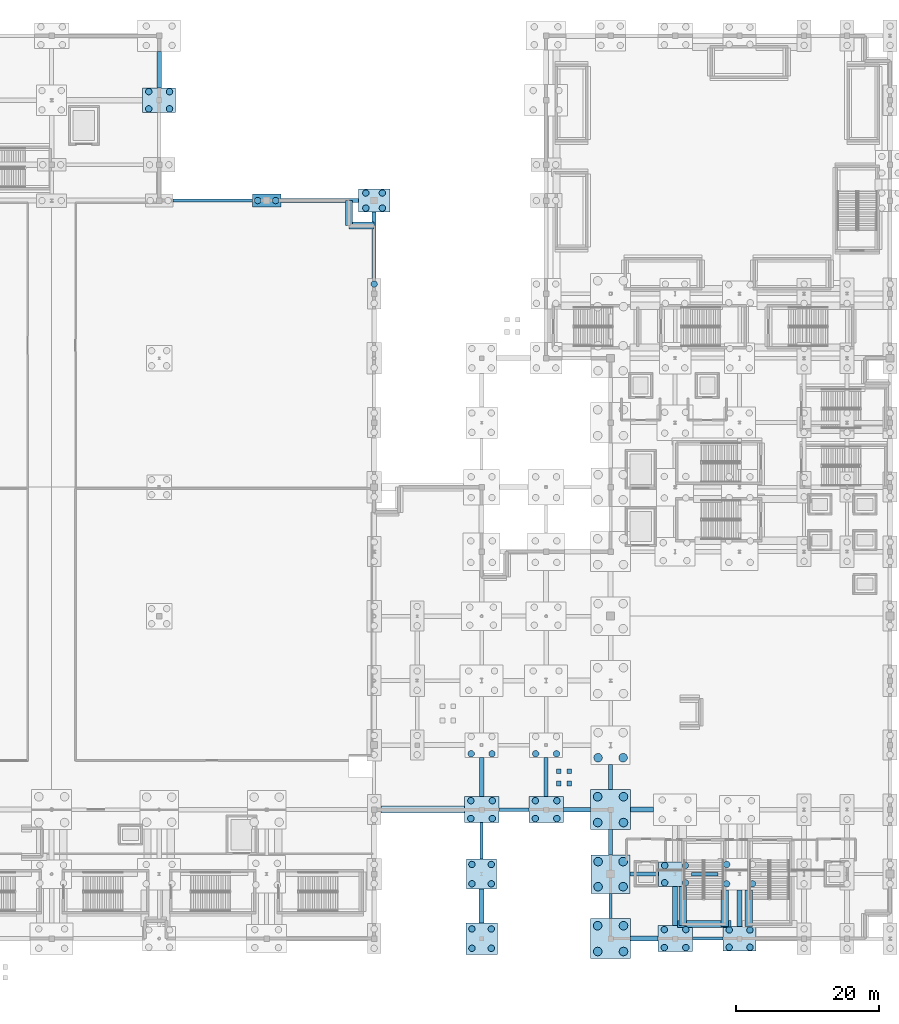
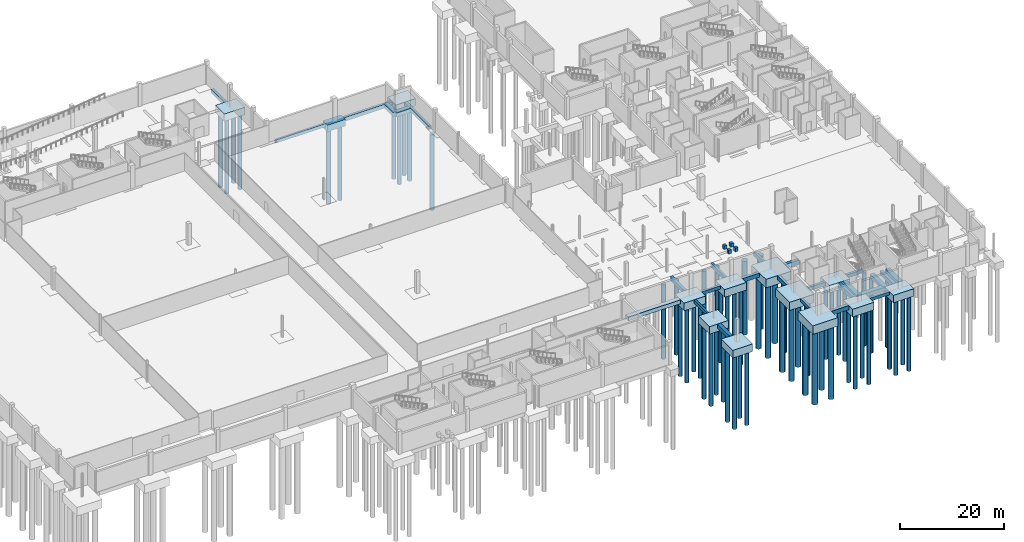
# One storey, part 5 of 58: 60 piles, 44 footings.
"""IFC4 building model written with IfcOpenShell, lengths in metres."""

from ifc_helpers import new_model, si_unit, direction, frame, origin, origin_2d, place, context, subcontext, project, spatial, rectangle, circle, extrude, material, material_profile, profile_set, type_object, element, save


model = new_model("IFC4")

# Units and contexts
model_context = context("Model", 3, precision=1e-05, world=origin(), true_north=direction((0.0, 1.0)))
body_context = subcontext(model_context, "Body", "Model", "MODEL_VIEW")
ifc_project = project(units=[si_unit("LENGTHUNIT", "METRE"), si_unit("AREAUNIT", "SQUARE_METRE"), si_unit("VOLUMEUNIT", "CUBIC_METRE"), si_unit("PLANEANGLEUNIT", "RADIAN"), si_unit("MASSUNIT", "GRAM", prefix="KILO")], contexts=[model_context])

# Site, building, storey
site_placement = place(None, origin())
site = spatial("IfcSite", under=ifc_project, at=site_placement, CompositionType="ELEMENT")
building_placement = place(site_placement, origin())
building = spatial("IfcBuilding", under=site, at=building_placement, Name="Qamarlyn Nura Convention Centre", CompositionType="ELEMENT")
storey_placement = place(building_placement, frame((0.0, 0.0, -5.39990234375)))
storey = spatial("IfcBuildingStorey", under=building, at=storey_placement, Name="B01", CompositionType="ELEMENT", Elevation=-5.39990234375)

# Footings
ifc_material = material(Name="Concrete C40/50", Category="concrete")
ifc_material_profile_1 = material_profile(ifc_material, rectangle(XDim=0.449951171875, YDim=0.75, at=origin_2d()), Name="RC GB 450x750")
ifc_profile_set_1 = profile_set([ifc_material_profile_1], Name="Concrete C40/50")
footing_type_1 = type_object("IfcFootingType", Name="GB-450X750", PredefinedType="FOOTING_BEAM", material=ifc_profile_set_1)
footing_1_placement = place(storey_placement, frame((164.39990234375, 0.0, -0.375), z_axis=(1.0, 0.0, 0.0), x_axis=(0.0, 1.0, 0.0)))
element("IfcFooting", 1, at=footing_1_placement, inside=storey, type_object=footing_type_1, Name="Ground tie beam A 14-15", PredefinedType="FOOTING_BEAM", context=body_context, shape_type="SweptSolid", body=[
    extrude(rectangle(XDim=0.449951171875, YDim=0.75, at=origin_2d()), origin(), (0.0, 0.0, 1.0), 4.300048828125),
])
footing_2_placement = place(storey_placement, frame((91.89990234375, 103.0, -0.375), z_axis=(1.0, 0.0, 0.0), x_axis=(0.0, 1.0, 0.0)))
element("IfcFooting", 2, at=footing_2_placement, inside=storey, type_object=footing_type_1, Name="Ground tie beam M 7-8", PredefinedType="FOOTING_BEAM", context=body_context, shape_type="SweptSolid", body=[
    extrude(rectangle(XDim=0.449951171875, YDim=0.75, at=origin_2d()), origin(), (0.0, 0.0, 1.0), 11.10009765625),
])
footing_3_placement = place(storey_placement, frame((135.0, 11.10009765625, -0.375), z_axis=(0.0, 1.0, 0.0), x_axis=(-1.0, 0.0, 0.0)))
element("IfcFooting", 3, at=footing_3_placement, inside=storey, type_object=footing_type_1, Name="Ground tie beam 11 B-C", PredefinedType="FOOTING_BEAM", context=body_context, shape_type="SweptSolid", body=[
    extrude(rectangle(XDim=0.449951171875, YDim=0.75, at=origin_2d()), origin(), (0.0, 0.0, 1.0), 5.099853515625),
])
footing_4_placement = place(storey_placement, frame((153.0, 2.800048828125, -0.375), z_axis=(0.0, 1.0, 0.0), x_axis=(-1.0, 0.0, 0.0)))
element("IfcFooting", 4, at=footing_4_placement, inside=storey, type_object=footing_type_1, Name="Ground tie beam 13 A-B", PredefinedType="FOOTING_BEAM", context=body_context, shape_type="SweptSolid", body=[
    extrude(rectangle(XDim=0.449951171875, YDim=0.75, at=origin_2d()), origin(), (0.0, 0.0, 1.0), 3.5),
])
ifc_material_profile_2 = material_profile(ifc_material, rectangle(XDim=0.5, YDim=0.800048828125, at=origin_2d()), Name="RC GB 500x800")
ifc_profile_set_2 = profile_set([ifc_material_profile_2], Name="Concrete C40/50")
footing_type_2 = type_object("IfcFootingType", Name="GB-500X800", PredefinedType="FOOTING_BEAM", material=ifc_profile_set_2)
footing_5_placement = place(storey_placement, frame((164.300048828125, 9.0, -0.400146484375), z_axis=(1.0, 0.0, 0.0), x_axis=(0.0, 1.0, 0.0)))
element("IfcFooting", 5, at=footing_5_placement, inside=storey, type_object=footing_type_2, Name="Ground tie beam B 14-15", PredefinedType="FOOTING_BEAM", context=body_context, shape_type="SweptSolid", body=[
    extrude(rectangle(XDim=0.5, YDim=0.800048828125, at=origin_2d()), origin(), (0.0, 0.0, 1.0), 3.699951171875),
])
footing_6_placement = place(storey_placement, frame((137.39990234375, 18.0, -0.400146484375), z_axis=(1.0, 0.0, 0.0), x_axis=(0.0, 1.0, 0.0)))
element("IfcFooting", 6, at=footing_6_placement, inside=storey, type_object=footing_type_2, Name="Ground tie beam C 11-12", PredefinedType="FOOTING_BEAM", context=body_context, shape_type="SweptSolid", body=[
    extrude(rectangle(XDim=0.5, YDim=0.800048828125, at=origin_2d()), origin(), (0.0, 0.0, 1.0), 4.2001953125),
])
ifc_material_profile_3 = material_profile(ifc_material, rectangle(XDim=0.550048828125, YDim=0.85009765625, at=origin_2d()), Name="RC GB 550x850")
ifc_profile_set_3 = profile_set([ifc_material_profile_3], Name="Concrete C40/50")
footing_type_3 = type_object("IfcFootingType", Name="GB-550X850", PredefinedType="FOOTING_BEAM", material=ifc_profile_set_3)
footing_7_placement = place(storey_placement, frame((155.699951171875, 9.0, -0.425048828125), z_axis=(1.0, 0.0, 0.0), x_axis=(0.0, 1.0, 0.0)))
element("IfcFooting", 7, at=footing_7_placement, inside=storey, type_object=footing_type_3, Name="Ground tie beam B 13-14", PredefinedType="FOOTING_BEAM", context=body_context, shape_type="SweptSolid", body=[
    extrude(rectangle(XDim=0.550048828125, YDim=0.85009765625, at=origin_2d()), origin(), (0.0, 0.0, 1.0), 4.0),
])
footing_8_placement = place(storey_placement, frame((120.0, 92.10009765625, -0.425048828125), z_axis=(0.0, 1.0, 0.0), x_axis=(-1.0, 0.0, 0.0)))
element("IfcFooting", 8, at=footing_8_placement, inside=storey, type_object=footing_type_3, Name="Ground tie beam 9 L-M", PredefinedType="FOOTING_BEAM", context=body_context, shape_type="SweptSolid", body=[
    extrude(rectangle(XDim=0.550048828125, YDim=0.85009765625, at=origin_2d()), origin(), (0.0, 0.0, 1.0), 9.2998046875),
])
footing_9_placement = place(storey_placement, frame((144.0, 19.800048828125, -0.425048828125), z_axis=(0.0, 1.0, 0.0), x_axis=(-1.0, 0.0, 0.0)))
element("IfcFooting", 9, at=footing_9_placement, inside=storey, type_object=footing_type_3, Name="Ground tie beam 12 C-D", PredefinedType="FOOTING_BEAM", context=body_context, shape_type="SweptSolid", body=[
    extrude(rectangle(XDim=0.550048828125, YDim=0.85009765625, at=origin_2d()), origin(), (0.0, 0.0, 1.0), 5.5),
])
footing_10_placement = place(storey_placement, frame((153.0, 20.800048828125, -0.425048828125), z_axis=(0.0, 1.0, 0.0), x_axis=(-1.0, 0.0, 0.0)))
element("IfcFooting", 10, at=footing_10_placement, inside=storey, type_object=footing_type_3, Name="Ground tie beam 13 C-D", PredefinedType="FOOTING_BEAM", context=body_context, shape_type="SweptSolid", body=[
    extrude(rectangle(XDim=0.550048828125, YDim=0.85009765625, at=origin_2d()), origin(), (0.0, 0.0, 1.0), 3.5),
])
ifc_material_profile_4 = material_profile(ifc_material, rectangle(XDim=0.60009765625, YDim=0.89990234375, at=origin_2d()), Name="RC GB 600x900")
ifc_profile_set_4 = profile_set([ifc_material_profile_4], Name="Concrete C40/50")
footing_type_4 = type_object("IfcFootingType", Name="GB-600X900", PredefinedType="FOOTING_BEAM", material=ifc_profile_set_4)
footing_11_placement = place(storey_placement, frame((107.0, 103.0, -0.4501953125), z_axis=(1.0, 0.0, 0.0), x_axis=(0.0, 1.0, 0.0)))
element("IfcFooting", 11, at=footing_11_placement, inside=storey, type_object=footing_type_4, Name="Ground tie beam M 8-9", PredefinedType="FOOTING_BEAM", context=body_context, shape_type="SweptSolid", body=[
    extrude(rectangle(XDim=0.60009765625, YDim=0.89990234375, at=origin_2d()), origin(), (0.0, 0.0, 1.0), 10.800048828125),
])
footing_12_placement = place(storey_placement, frame((90.0, 118.699951171875, -0.4501953125), z_axis=(0.0, 1.0, 0.0), x_axis=(-1.0, 0.0, 0.0)))
element("IfcFooting", 12, at=footing_12_placement, inside=storey, type_object=footing_type_4, Name="Ground tie beam 7 P-Q", PredefinedType="FOOTING_BEAM", context=body_context, shape_type="SweptSolid", body=[
    extrude(rectangle(XDim=0.60009765625, YDim=0.89990234375, at=origin_2d()), origin(), (0.0, 0.0, 1.0), 5.10009765625),
])
footing_13_placement = place(storey_placement, frame((135.0, 19.800048828125, -0.4501953125), z_axis=(0.0, 1.0, 0.0), x_axis=(-1.0, 0.0, 0.0)))
element("IfcFooting", 13, at=footing_13_placement, inside=storey, type_object=footing_type_4, Name="Ground tie beam 11 C-D", PredefinedType="FOOTING_BEAM", context=body_context, shape_type="SweptSolid", body=[
    extrude(rectangle(XDim=0.60009765625, YDim=0.89990234375, at=origin_2d()), origin(), (0.0, 0.0, 1.0), 5.5),
])
footing_14_placement = place(storey_placement, frame((153.0, 11.699951171875, -0.4501953125), z_axis=(0.0, 1.0, 0.0), x_axis=(-1.0, 0.0, 0.0)))
element("IfcFooting", 14, at=footing_14_placement, inside=storey, type_object=footing_type_4, Name="Ground tie beam 13 B-C", PredefinedType="FOOTING_BEAM", context=body_context, shape_type="SweptSolid", body=[
    extrude(rectangle(XDim=0.60009765625, YDim=0.89990234375, at=origin_2d()), origin(), (0.0, 0.0, 1.0), 3.5),
])
ifc_material_profile_5 = material_profile(ifc_material, rectangle(XDim=0.64990234375, YDim=0.949951171875, at=origin_2d()), Name="RC GB 650x950")
ifc_profile_set_5 = profile_set([ifc_material_profile_5], Name="Concrete C40/50")
footing_type_5 = type_object("IfcFootingType", Name="GB-650X950", PredefinedType="FOOTING_BEAM", material=ifc_profile_set_5)
footing_15_placement = place(storey_placement, frame((146.39990234375, 18.0, -0.47509765625), z_axis=(1.0, 0.0, 0.0), x_axis=(0.0, 1.0, 0.0)))
element("IfcFooting", 15, at=footing_15_placement, inside=storey, type_object=footing_type_5, Name="Ground tie beam C 12-13", PredefinedType="FOOTING_BEAM", context=body_context, shape_type="SweptSolid", body=[
    extrude(rectangle(XDim=0.64990234375, YDim=0.949951171875, at=origin_2d()), origin(), (0.0, 0.0, 1.0), 3.800048828125),
])
footing_16_placement = place(storey_placement, frame((162.0, 1.800048828125, -0.47509765625), z_axis=(0.0, 1.0, 0.0), x_axis=(-1.0, 0.0, 0.0)))
element("IfcFooting", 16, at=footing_16_placement, inside=storey, type_object=footing_type_5, Name="Ground tie beam 14 A-B", PredefinedType="FOOTING_BEAM", context=body_context, shape_type="SweptSolid", body=[
    extrude(rectangle(XDim=0.64990234375, YDim=0.949951171875, at=origin_2d()), origin(), (0.0, 0.0, 1.0), 5.5),
])
footing_17_placement = place(storey_placement, frame((171.0, 1.699951171875, -0.47509765625), z_axis=(0.0, 1.0, 0.0), x_axis=(-1.0, 0.0, 0.0)))
element("IfcFooting", 17, at=footing_17_placement, inside=storey, type_object=footing_type_5, Name="Ground tie beam 15 A-B", PredefinedType="FOOTING_BEAM", context=body_context, shape_type="SweptSolid", body=[
    extrude(rectangle(XDim=0.64990234375, YDim=0.949951171875, at=origin_2d()), origin(), (0.0, 0.0, 1.0), 5.10009765625),
])
ifc_material_profile_6 = material_profile(ifc_material, rectangle(XDim=0.699951171875, YDim=1.0, at=origin_2d()), Name="RC GB 700x1000")
ifc_profile_set_6 = profile_set([ifc_material_profile_6], Name="Concrete C40/50")
footing_type_6 = type_object("IfcFootingType", Name="GB-700X1000", PredefinedType="FOOTING_BEAM", material=ifc_profile_set_6)
footing_18_placement = place(storey_placement, frame((155.800048828125, 0.0, -0.5), z_axis=(1.0, 0.0, 0.0), x_axis=(0.0, 1.0, 0.0)))
element("IfcFooting", 18, at=footing_18_placement, inside=storey, type_object=footing_type_6, Name="Ground tie beam A 13-14", PredefinedType="FOOTING_BEAM", context=body_context, shape_type="SweptSolid", body=[
    extrude(rectangle(XDim=0.699951171875, YDim=1.0, at=origin_2d()), origin(), (0.0, 0.0, 1.0), 3.800048828125),
])
footing_19_placement = place(storey_placement, frame((155.800048828125, 18.0, -0.5), z_axis=(1.0, 0.0, 0.0), x_axis=(0.0, 1.0, 0.0)))
element("IfcFooting", 19, at=footing_19_placement, inside=storey, type_object=footing_type_6, Name="Ground tie beam C 13-14", PredefinedType="FOOTING_BEAM", context=body_context, shape_type="SweptSolid", body=[
    extrude(rectangle(XDim=0.699951171875, YDim=1.0, at=origin_2d()), origin(), (0.0, 0.0, 1.0), 3.199951171875),
])
footing_20_placement = place(storey_placement, frame((135.0, 2.199951171875, -0.5), z_axis=(0.0, 1.0, 0.0), x_axis=(-1.0, 0.0, 0.0)))
element("IfcFooting", 20, at=footing_20_placement, inside=storey, type_object=footing_type_6, Name="Ground tie beam 11 A-B", PredefinedType="FOOTING_BEAM", context=body_context, shape_type="SweptSolid", body=[
    extrude(rectangle(XDim=0.699951171875, YDim=1.0, at=origin_2d()), origin(), (0.0, 0.0, 1.0), 4.699951171875),
])
footing_type_7 = type_object("IfcFootingType", Name="PC-MEGA-54", PredefinedType="PILE_CAP", material=ifc_material)
footing_21_placement = place(storey_placement, frame((153.0, 9.0, -1.9501953125), z_axis=(0.0, 0.0, 1.0), x_axis=(1.0, 0.0, 0.0)))
element("IfcFooting", 21, at=footing_21_placement, inside=storey, type_object=footing_type_7, Name="Pile cap CAP-13-B", PredefinedType="PILE_CAP", context=body_context, shape_type="SweptSolid", body=[
    extrude(rectangle(XDim=5.39990234375, YDim=5.39990234375, at=origin_2d()), origin(), (0.0, 0.0, 1.0), 1.949951171875),
])
footing_type_8 = type_object("IfcFootingType", Name="PC-MEGA-56", PredefinedType="PILE_CAP", material=ifc_material)
for number, where, z_axis, x_axis, name in (
    (22, (153.0, 0.0, -2.0), (0.0, 0.0, 1.0), (1.0, 0.0, 0.0), "Pile cap CAP-13-A"),
    (23, (153.0, 18.0, -2.0), (0.0, 0.0, 1.0), (1.0, 0.0, 0.0), "Pile cap CAP-13-C"),
):
    element("IfcFooting", number, at=place(storey_placement, frame(where, z_axis=z_axis, x_axis=x_axis)), inside=storey, type_object=footing_type_8, Name=name, PredefinedType="PILE_CAP", context=body_context, shape_type="SweptSolid", body=[
        extrude(rectangle(XDim=5.60009765625, YDim=5.60009765625, at=origin_2d()), origin(), (0.0, 0.0, 1.0), 2.0),
    ])
footing_type_9 = type_object("IfcFootingType", Name="PC-PAIR-40X18", PredefinedType="PILE_CAP", material=ifc_material)
footing_22_placement = place(storey_placement, frame((105.0, 103.0, -1.55029296875), z_axis=(0.0, 0.0, 1.0), x_axis=(1.0, 0.0, 0.0)))
element("IfcFooting", 24, at=footing_22_placement, inside=storey, type_object=footing_type_9, Name="Pile cap CAP-8-M", PredefinedType="PILE_CAP", context=body_context, shape_type="SweptSolid", body=[
    extrude(rectangle(XDim=4.0, YDim=1.800048828125, at=origin_2d()), origin(), (0.0, 0.0, 1.0), 1.550048828125),
])
footing_type_10 = type_object("IfcFootingType", Name="PC-RECT-44X32", PredefinedType="PILE_CAP", material=ifc_material)
footing_23_placement = place(storey_placement, frame((120.0, 103.0, -1.7001953125), z_axis=(0.0, 0.0, 1.0), x_axis=(1.0, 0.0, 0.0)))
element("IfcFooting", 25, at=footing_23_placement, inside=storey, type_object=footing_type_10, Name="Pile cap CAP-9-M", PredefinedType="PILE_CAP", context=body_context, shape_type="SweptSolid", body=[
    extrude(rectangle(XDim=4.39990234375, YDim=3.199951171875, at=origin_2d()), origin(), (0.0, 0.0, 1.0), 1.699951171875),
])
footing_type_11 = type_object("IfcFootingType", Name="PC-RECT-46X34", PredefinedType="PILE_CAP", material=ifc_material)
for number, where, z_axis, x_axis, name in (
    (26, (90.0, 117.0, -1.75), (0.0, 0.0, 1.0), (1.0, 0.0, 0.0), "Pile cap CAP-7-P"),
    (27, (162.0, 9.0, -1.75), (0.0, 0.0, 1.0), (1.0, 0.0, 0.0), "Pile cap CAP-14-B"),
    (28, (171.0, 0.0, -1.75), (0.0, 0.0, 1.0), (1.0, 0.0, 0.0), "Pile cap CAP-15-A"),
):
    element("IfcFooting", number, at=place(storey_placement, frame(where, z_axis=z_axis, x_axis=x_axis)), inside=storey, type_object=footing_type_11, Name=name, PredefinedType="PILE_CAP", context=body_context, shape_type="SweptSolid", body=[
        extrude(rectangle(XDim=4.60009765625, YDim=3.39990234375, at=origin_2d()), origin(), (0.0, 0.0, 1.0), 1.75),
    ])
footing_type_12 = type_object("IfcFootingType", Name="PC-RECT-48X36", PredefinedType="PILE_CAP", material=ifc_material)
for number, where, z_axis, x_axis, name in (
    (29, (135.0, 18.0, -1.80029296875), (0.0, 0.0, 1.0), (1.0, 0.0, 0.0), "Pile cap CAP-11-C"),
    (30, (144.0, 18.0, -1.80029296875), (0.0, 0.0, 1.0), (1.0, 0.0, 0.0), "Pile cap CAP-12-C"),
    (31, (162.0, 0.0, -1.80029296875), (0.0, 0.0, 1.0), (1.0, 0.0, 0.0), "Pile cap CAP-14-A"),
):
    element("IfcFooting", number, at=place(storey_placement, frame(where, z_axis=z_axis, x_axis=x_axis)), inside=storey, type_object=footing_type_12, Name=name, PredefinedType="PILE_CAP", context=body_context, shape_type="SweptSolid", body=[
        extrude(rectangle(XDim=4.800048828125, YDim=3.60009765625, at=origin_2d()), origin(), (0.0, 0.0, 1.0), 1.800048828125),
    ])
footing_type_13 = type_object("IfcFootingType", Name="PC-WING-42", PredefinedType="PILE_CAP", material=ifc_material)
footing_24_placement = place(storey_placement, frame((135.0, 9.0, -1.75), z_axis=(0.0, 0.0, 1.0), x_axis=(1.0, 0.0, 0.0)))
element("IfcFooting", 32, at=footing_24_placement, inside=storey, type_object=footing_type_13, Name="Pile cap CAP-11-B", PredefinedType="PILE_CAP", context=body_context, shape_type="SweptSolid", body=[
    extrude(rectangle(XDim=4.199951171875, YDim=4.199951171875, at=origin_2d()), origin(), (0.0, 0.0, 1.0), 1.75),
])
footing_type_14 = type_object("IfcFootingType", Name="PC-WING-44", PredefinedType="PILE_CAP", material=ifc_material)
footing_25_placement = place(storey_placement, frame((135.0, 0.0, -1.80029296875), z_axis=(0.0, 0.0, 1.0), x_axis=(1.0, 0.0, 0.0)))
element("IfcFooting", 33, at=footing_25_placement, inside=storey, type_object=footing_type_14, Name="Pile cap CAP-11-A", PredefinedType="PILE_CAP", context=body_context, shape_type="SweptSolid", body=[
    extrude(rectangle(XDim=4.39990234375, YDim=4.39990234375, at=origin_2d()), origin(), (0.0, 0.0, 1.0), 1.800048828125),
])
footing_type_15 = type_object("IfcFootingType", Name="PF-RAMP-070", PredefinedType="PAD_FOOTING", material=ifc_material)
for number, where, z_axis, x_axis, name in (
    (34, (145.75, 21.64990234375, 3.89990234375), (0.0, 0.0, 1.0), (1.0, 0.0, 0.0), "Entrance ramp corner pad footing PR-01-1"),
    (35, (147.25, 21.64990234375, 3.89990234375), (0.0, 0.0, 1.0), (1.0, 0.0, 0.0), "Entrance ramp corner pad footing PR-01-2"),
    (36, (145.75, 23.35009765625, 3.89990234375), (0.0, 0.0, 1.0), (1.0, 0.0, 0.0), "Entrance ramp corner pad footing PR-01-3"),
    (37, (147.25, 23.35009765625, 3.89990234375), (0.0, 0.0, 1.0), (1.0, 0.0, 0.0), "Entrance ramp corner pad footing PR-01-4"),
):
    element("IfcFooting", number, at=place(storey_placement, frame(where, z_axis=z_axis, x_axis=x_axis)), inside=storey, type_object=footing_type_15, Name=name, PredefinedType="PAD_FOOTING", context=body_context, shape_type="SweptSolid", body=[
        extrude(rectangle(XDim=0.64990234375, YDim=0.64990234375, at=origin_2d()), origin(), (0.0, 0.0, 1.0), 0.85009765625),
    ])

# Piles
ifc_material_profile_7 = material_profile(ifc_material, circle(Radius=0.60009765625, at=origin_2d()), Name="BORED PILE 1200")
ifc_profile_set_7 = profile_set([ifc_material_profile_7], Name="Concrete C40/50")
pile_type_1 = type_object("IfcPileType", Name="PILE-1200", PredefinedType="BORED", material=ifc_profile_set_7)
for number, where, z_axis, x_axis, name in (
    (38, (151.199951171875, -1.800048828125, -1.85009765625), (0.0, 0.0, -1.0), (1.0, 0.0, 0.0), "Bored pile PILE-13-A-1"),
    (39, (154.800048828125, -1.800048828125, -1.85009765625), (0.0, 0.0, -1.0), (1.0, 0.0, 0.0), "Bored pile PILE-13-A-2"),
    (40, (151.199951171875, 1.800048828125, -1.85009765625), (0.0, 0.0, -1.0), (1.0, 0.0, 0.0), "Bored pile PILE-13-A-3"),
    (41, (154.800048828125, 1.800048828125, -1.85009765625), (0.0, 0.0, -1.0), (1.0, 0.0, 0.0), "Bored pile PILE-13-A-4"),
):
    element("IfcPile", number, at=place(storey_placement, frame(where, z_axis=z_axis, x_axis=x_axis)), inside=storey, type_object=pile_type_1, Name=name, PredefinedType="BORED", context=body_context, shape_type="SweptSolid", body=[
        extrude(circle(Radius=0.60009765625, at=origin_2d()), origin(), (0.0, 0.0, 1.0), 17.25),
    ])
for number, where, z_axis, x_axis, name in (
    (42, (151.25, 7.25, -1.800048828125), (0.0, 0.0, -1.0), (1.0, 0.0, 0.0), "Bored pile PILE-13-B-1"),
    (43, (154.75, 7.25, -1.800048828125), (0.0, 0.0, -1.0), (1.0, 0.0, 0.0), "Bored pile PILE-13-B-2"),
    (44, (151.25, 10.75, -1.800048828125), (0.0, 0.0, -1.0), (1.0, 0.0, 0.0), "Bored pile PILE-13-B-3"),
    (45, (154.75, 10.75, -1.800048828125), (0.0, 0.0, -1.0), (1.0, 0.0, 0.0), "Bored pile PILE-13-B-4"),
):
    element("IfcPile", number, at=place(storey_placement, frame(where, z_axis=z_axis, x_axis=x_axis)), inside=storey, type_object=pile_type_1, Name=name, PredefinedType="BORED", context=body_context, shape_type="SweptSolid", body=[
        extrude(circle(Radius=0.60009765625, at=origin_2d()), origin(), (0.0, 0.0, 1.0), 17.300048828125),
    ])
for number, where, z_axis, x_axis, name in (
    (46, (151.199951171875, 16.199951171875, -1.85009765625), (0.0, 0.0, -1.0), (1.0, 0.0, 0.0), "Bored pile PILE-13-C-1"),
    (47, (154.800048828125, 16.199951171875, -1.85009765625), (0.0, 0.0, -1.0), (1.0, 0.0, 0.0), "Bored pile PILE-13-C-2"),
    (48, (151.199951171875, 19.800048828125, -1.85009765625), (0.0, 0.0, -1.0), (1.0, 0.0, 0.0), "Bored pile PILE-13-C-3"),
    (49, (154.800048828125, 19.800048828125, -1.85009765625), (0.0, 0.0, -1.0), (1.0, 0.0, 0.0), "Bored pile PILE-13-C-4"),
):
    element("IfcPile", number, at=place(storey_placement, frame(where, z_axis=z_axis, x_axis=x_axis)), inside=storey, type_object=pile_type_1, Name=name, PredefinedType="BORED", context=body_context, shape_type="SweptSolid", body=[
        extrude(circle(Radius=0.60009765625, at=origin_2d()), origin(), (0.0, 0.0, 1.0), 17.25),
    ])
for number, where, z_axis, x_axis, name in (
    (50, (151.25, 25.25, -1.800048828125), (0.0, 0.0, -1.0), (1.0, 0.0, 0.0), "Bored pile PILE-13-D-1"),
    (51, (154.75, 25.25, -1.800048828125), (0.0, 0.0, -1.0), (1.0, 0.0, 0.0), "Bored pile PILE-13-D-2"),
):
    element("IfcPile", number, at=place(storey_placement, frame(where, z_axis=z_axis, x_axis=x_axis)), inside=storey, type_object=pile_type_1, Name=name, PredefinedType="BORED", context=body_context, shape_type="SweptSolid", body=[
        extrude(circle(Radius=0.60009765625, at=origin_2d()), origin(), (0.0, 0.0, 1.0), 17.300048828125),
    ])
ifc_material_profile_8 = material_profile(ifc_material, circle(Radius=0.449951171875, at=origin_2d()), Name="BORED PILE 900")
ifc_profile_set_8 = profile_set([ifc_material_profile_8], Name="Concrete C40/50")
pile_type_2 = type_object("IfcPileType", Name="PILE-900", PredefinedType="BORED", material=ifc_profile_set_8)
for number, where, z_axis, x_axis, name in (
    (52, (88.550048828125, 115.800048828125, -1.60009765625), (0.0, 0.0, -1.0), (1.0, 0.0, 0.0), "Bored pile PILE-7-P-1"),
    (53, (91.449951171875, 115.800048828125, -1.60009765625), (0.0, 0.0, -1.0), (1.0, 0.0, 0.0), "Bored pile PILE-7-P-2"),
    (54, (88.550048828125, 118.199951171875, -1.60009765625), (0.0, 0.0, -1.0), (1.0, 0.0, 0.0), "Bored pile PILE-7-P-3"),
    (55, (91.449951171875, 118.199951171875, -1.60009765625), (0.0, 0.0, -1.0), (1.0, 0.0, 0.0), "Bored pile PILE-7-P-4"),
):
    element("IfcPile", number, at=place(storey_placement, frame(where, z_axis=z_axis, x_axis=x_axis)), inside=storey, type_object=pile_type_2, Name=name, PredefinedType="BORED", context=body_context, shape_type="SweptSolid", body=[
        extrude(circle(Radius=0.449951171875, at=origin_2d()), origin(), (0.0, 0.0, 1.0), 17.5),
    ])
for number, where, z_axis, x_axis, name in (
    (56, (103.75, 103.0, -1.400146484375), (0.0, 0.0, -1.0), (1.0, 0.0, 0.0), "Bored pile PILE-8-M-1"),
    (57, (106.25, 103.0, -1.400146484375), (0.0, 0.0, -1.0), (1.0, 0.0, 0.0), "Bored pile PILE-8-M-2"),
    (58, (120.0, 91.35009765625, -1.400146484375), (0.0, 0.0, -1.0), (1.0, 0.0, 0.0), "Bored pile PILE-9-L-2"),
):
    element("IfcPile", number, at=place(storey_placement, frame(where, z_axis=z_axis, x_axis=x_axis)), inside=storey, type_object=pile_type_2, Name=name, PredefinedType="BORED", context=body_context, shape_type="SweptSolid", body=[
        extrude(circle(Radius=0.449951171875, at=origin_2d()), origin(), (0.0, 0.0, 1.0), 17.699951171875),
    ])
for number, where, z_axis, x_axis, name in (
    (59, (118.85009765625, 101.949951171875, -1.550048828125), (0.0, 0.0, -1.0), (1.0, 0.0, 0.0), "Bored pile PILE-9-M-1"),
    (60, (121.14990234375, 101.949951171875, -1.550048828125), (0.0, 0.0, -1.0), (1.0, 0.0, 0.0), "Bored pile PILE-9-M-2"),
    (61, (118.85009765625, 104.050048828125, -1.550048828125), (0.0, 0.0, -1.0), (1.0, 0.0, 0.0), "Bored pile PILE-9-M-3"),
    (62, (121.14990234375, 104.050048828125, -1.550048828125), (0.0, 0.0, -1.0), (1.0, 0.0, 0.0), "Bored pile PILE-9-M-4"),
):
    element("IfcPile", number, at=place(storey_placement, frame(where, z_axis=z_axis, x_axis=x_axis)), inside=storey, type_object=pile_type_2, Name=name, PredefinedType="BORED", context=body_context, shape_type="SweptSolid", body=[
        extrude(circle(Radius=0.449951171875, at=origin_2d()), origin(), (0.0, 0.0, 1.0), 17.550048828125),
    ])
for number, where, z_axis, x_axis, name in (
    (63, (133.64990234375, -1.35009765625, -1.650146484375), (0.0, 0.0, -1.0), (1.0, 0.0, 0.0), "Bored pile PILE-11-A-1"),
    (64, (136.35009765625, -1.35009765625, -1.650146484375), (0.0, 0.0, -1.0), (1.0, 0.0, 0.0), "Bored pile PILE-11-A-2"),
    (65, (133.64990234375, 1.35009765625, -1.650146484375), (0.0, 0.0, -1.0), (1.0, 0.0, 0.0), "Bored pile PILE-11-A-3"),
    (66, (136.35009765625, 1.35009765625, -1.650146484375), (0.0, 0.0, -1.0), (1.0, 0.0, 0.0), "Bored pile PILE-11-A-4"),
):
    element("IfcPile", number, at=place(storey_placement, frame(where, z_axis=z_axis, x_axis=x_axis)), inside=storey, type_object=pile_type_2, Name=name, PredefinedType="BORED", context=body_context, shape_type="SweptSolid", body=[
        extrude(circle(Radius=0.449951171875, at=origin_2d()), origin(), (0.0, 0.0, 1.0), 17.449951171875),
    ])
for number, where, z_axis, x_axis, name in (
    (67, (133.64990234375, 7.64990234375, -1.60009765625), (0.0, 0.0, -1.0), (1.0, 0.0, 0.0), "Bored pile PILE-11-B-1"),
    (68, (136.35009765625, 7.64990234375, -1.60009765625), (0.0, 0.0, -1.0), (1.0, 0.0, 0.0), "Bored pile PILE-11-B-2"),
    (69, (133.64990234375, 10.35009765625, -1.60009765625), (0.0, 0.0, -1.0), (1.0, 0.0, 0.0), "Bored pile PILE-11-B-3"),
    (70, (136.35009765625, 10.35009765625, -1.60009765625), (0.0, 0.0, -1.0), (1.0, 0.0, 0.0), "Bored pile PILE-11-B-4"),
):
    element("IfcPile", number, at=place(storey_placement, frame(where, z_axis=z_axis, x_axis=x_axis)), inside=storey, type_object=pile_type_2, Name=name, PredefinedType="BORED", context=body_context, shape_type="SweptSolid", body=[
        extrude(circle(Radius=0.449951171875, at=origin_2d()), origin(), (0.0, 0.0, 1.0), 17.5),
    ])
for number, where, z_axis, x_axis, name in (
    (71, (133.5, 16.75, -1.650146484375), (0.0, 0.0, -1.0), (1.0, 0.0, 0.0), "Bored pile PILE-11-C-1"),
    (72, (136.5, 16.75, -1.650146484375), (0.0, 0.0, -1.0), (1.0, 0.0, 0.0), "Bored pile PILE-11-C-2"),
    (73, (133.5, 19.25, -1.650146484375), (0.0, 0.0, -1.0), (1.0, 0.0, 0.0), "Bored pile PILE-11-C-3"),
    (74, (136.5, 19.25, -1.650146484375), (0.0, 0.0, -1.0), (1.0, 0.0, 0.0), "Bored pile PILE-11-C-4"),
):
    element("IfcPile", number, at=place(storey_placement, frame(where, z_axis=z_axis, x_axis=x_axis)), inside=storey, type_object=pile_type_2, Name=name, PredefinedType="BORED", context=body_context, shape_type="SweptSolid", body=[
        extrude(circle(Radius=0.449951171875, at=origin_2d()), origin(), (0.0, 0.0, 1.0), 17.449951171875),
    ])
for number, where, z_axis, x_axis, name in (
    (75, (133.550048828125, 25.800048828125, -1.60009765625), (0.0, 0.0, -1.0), (1.0, 0.0, 0.0), "Bored pile PILE-11-D-1"),
    (76, (136.449951171875, 25.800048828125, -1.60009765625), (0.0, 0.0, -1.0), (1.0, 0.0, 0.0), "Bored pile PILE-11-D-2"),
):
    element("IfcPile", number, at=place(storey_placement, frame(where, z_axis=z_axis, x_axis=x_axis)), inside=storey, type_object=pile_type_2, Name=name, PredefinedType="BORED", context=body_context, shape_type="SweptSolid", body=[
        extrude(circle(Radius=0.449951171875, at=origin_2d()), origin(), (0.0, 0.0, 1.0), 17.5),
    ])
for number, where, z_axis, x_axis, name in (
    (77, (142.5, 16.75, -1.650146484375), (0.0, 0.0, -1.0), (1.0, 0.0, 0.0), "Bored pile PILE-12-C-1"),
    (78, (145.5, 16.75, -1.650146484375), (0.0, 0.0, -1.0), (1.0, 0.0, 0.0), "Bored pile PILE-12-C-2"),
    (79, (142.5, 19.25, -1.650146484375), (0.0, 0.0, -1.0), (1.0, 0.0, 0.0), "Bored pile PILE-12-C-3"),
    (80, (145.5, 19.25, -1.650146484375), (0.0, 0.0, -1.0), (1.0, 0.0, 0.0), "Bored pile PILE-12-C-4"),
):
    element("IfcPile", number, at=place(storey_placement, frame(where, z_axis=z_axis, x_axis=x_axis)), inside=storey, type_object=pile_type_2, Name=name, PredefinedType="BORED", context=body_context, shape_type="SweptSolid", body=[
        extrude(circle(Radius=0.449951171875, at=origin_2d()), origin(), (0.0, 0.0, 1.0), 17.449951171875),
    ])
for number, where, z_axis, x_axis, name in (
    (81, (142.550048828125, 25.800048828125, -1.60009765625), (0.0, 0.0, -1.0), (1.0, 0.0, 0.0), "Bored pile PILE-12-D-1"),
    (82, (145.449951171875, 25.800048828125, -1.60009765625), (0.0, 0.0, -1.0), (1.0, 0.0, 0.0), "Bored pile PILE-12-D-2"),
):
    element("IfcPile", number, at=place(storey_placement, frame(where, z_axis=z_axis, x_axis=x_axis)), inside=storey, type_object=pile_type_2, Name=name, PredefinedType="BORED", context=body_context, shape_type="SweptSolid", body=[
        extrude(circle(Radius=0.449951171875, at=origin_2d()), origin(), (0.0, 0.0, 1.0), 17.5),
    ])
for number, where, z_axis, x_axis, name in (
    (83, (160.5, -1.25, -1.650146484375), (0.0, 0.0, -1.0), (1.0, 0.0, 0.0), "Bored pile PILE-14-A-1"),
    (84, (163.5, -1.25, -1.650146484375), (0.0, 0.0, -1.0), (1.0, 0.0, 0.0), "Bored pile PILE-14-A-2"),
    (85, (160.5, 1.25, -1.650146484375), (0.0, 0.0, -1.0), (1.0, 0.0, 0.0), "Bored pile PILE-14-A-3"),
    (86, (163.5, 1.25, -1.650146484375), (0.0, 0.0, -1.0), (1.0, 0.0, 0.0), "Bored pile PILE-14-A-4"),
):
    element("IfcPile", number, at=place(storey_placement, frame(where, z_axis=z_axis, x_axis=x_axis)), inside=storey, type_object=pile_type_2, Name=name, PredefinedType="BORED", context=body_context, shape_type="SweptSolid", body=[
        extrude(circle(Radius=0.449951171875, at=origin_2d()), origin(), (0.0, 0.0, 1.0), 17.449951171875),
    ])
for number, where, z_axis, x_axis, name in (
    (87, (160.550048828125, 7.800048828125, -1.60009765625), (0.0, 0.0, -1.0), (1.0, 0.0, 0.0), "Bored pile PILE-14-B-1"),
    (88, (163.449951171875, 7.800048828125, -1.60009765625), (0.0, 0.0, -1.0), (1.0, 0.0, 0.0), "Bored pile PILE-14-B-2"),
    (89, (160.550048828125, 10.199951171875, -1.60009765625), (0.0, 0.0, -1.0), (1.0, 0.0, 0.0), "Bored pile PILE-14-B-3"),
    (90, (163.449951171875, 10.199951171875, -1.60009765625), (0.0, 0.0, -1.0), (1.0, 0.0, 0.0), "Bored pile PILE-14-B-4"),
    (91, (169.550048828125, -1.199951171875, -1.60009765625), (0.0, 0.0, -1.0), (1.0, 0.0, 0.0), "Bored pile PILE-15-A-1"),
    (92, (172.449951171875, -1.199951171875, -1.60009765625), (0.0, 0.0, -1.0), (1.0, 0.0, 0.0), "Bored pile PILE-15-A-2"),
    (93, (169.550048828125, 1.199951171875, -1.60009765625), (0.0, 0.0, -1.0), (1.0, 0.0, 0.0), "Bored pile PILE-15-A-3"),
    (94, (172.449951171875, 1.199951171875, -1.60009765625), (0.0, 0.0, -1.0), (1.0, 0.0, 0.0), "Bored pile PILE-15-A-4"),
):
    element("IfcPile", number, at=place(storey_placement, frame(where, z_axis=z_axis, x_axis=x_axis)), inside=storey, type_object=pile_type_2, Name=name, PredefinedType="BORED", context=body_context, shape_type="SweptSolid", body=[
        extrude(circle(Radius=0.449951171875, at=origin_2d()), origin(), (0.0, 0.0, 1.0), 17.5),
    ])
for number, where, z_axis, x_axis, name in (
    (95, (169.199951171875, 7.64990234375, -1.85009765625), (0.0, 0.0, -1.0), (1.0, 0.0, 0.0), "Bored pile PILE-15-B-1"),
    (96, (172.800048828125, 7.64990234375, -1.85009765625), (0.0, 0.0, -1.0), (1.0, 0.0, 0.0), "Bored pile PILE-15-B-2"),
    (97, (169.199951171875, 10.35009765625, -1.85009765625), (0.0, 0.0, -1.0), (1.0, 0.0, 0.0), "Bored pile PILE-15-B-3"),
):
    element("IfcPile", number, at=place(storey_placement, frame(where, z_axis=z_axis, x_axis=x_axis)), inside=storey, type_object=pile_type_2, Name=name, PredefinedType="BORED", context=body_context, shape_type="SweptSolid", body=[
        extrude(circle(Radius=0.449951171875, at=origin_2d()), origin(), (0.0, 0.0, 1.0), 17.25),
    ])

# Footings
ifc_material_profile_9 = material_profile(ifc_material, rectangle(XDim=1.0, YDim=0.89990234375, at=origin_2d()), Name="RC STRIP 1000x900")
ifc_profile_set_9 = profile_set([ifc_material_profile_9], Name="Concrete C40/50")
footing_type_16 = type_object("IfcFootingType", Name="SF-WALL-1000", PredefinedType="STRIP_FOOTING", material=ifc_profile_set_9)
for number, where, z_axis, x_axis, name in (
    (98, (116.5, 103.0, -0.4501953125), (0.0, -1.0, 0.0), (1.0, 0.0, 0.0), "Strip footing WRET-B01-28-1"),
    (99, (116.5, 99.5, -0.4501953125), (1.0, 0.0, 0.0), (0.0, 1.0, 0.0), "Strip footing WRET-B01-29-1"),
):
    element("IfcFooting", number, at=place(storey_placement, frame(where, z_axis=z_axis, x_axis=x_axis)), inside=storey, type_object=footing_type_16, Name=name, PredefinedType="STRIP_FOOTING", context=body_context, shape_type="SweptSolid", body=[
        extrude(rectangle(XDim=1.0, YDim=0.89990234375, at=origin_2d()), origin(), (0.0, 0.0, 1.0), 3.5),
    ])
footing_26_placement = place(storey_placement, frame((132.60009765625, 18.0, -0.4501953125), z_axis=(-1.0, 0.0, 0.0), x_axis=(0.0, -1.0, 0.0)))
element("IfcFooting", 100, at=footing_26_placement, inside=storey, type_object=footing_type_16, Name="Strip footing WRET-B01-89-1", PredefinedType="STRIP_FOOTING", context=body_context, shape_type="SweptSolid", body=[
    extrude(rectangle(XDim=1.0, YDim=0.89990234375, at=origin_2d()), origin(), (0.0, 0.0, 1.0), 11.650146484375),
])
footing_27_placement = place(storey_placement, frame((162.324951171875, 2.02490234375, -0.4501953125), z_axis=(1.0, 0.0, 0.0), x_axis=(0.0, 1.0, 0.0)))
element("IfcFooting", 101, at=footing_27_placement, inside=storey, type_object=footing_type_16, Name="Strip footing WST-ST-09-B01-S-1", PredefinedType="STRIP_FOOTING", context=body_context, shape_type="SweptSolid", body=[
    extrude(rectangle(XDim=1.0, YDim=0.89990234375, at=origin_2d()), origin(), (0.0, 0.0, 1.0), 7.449951171875),
])
footing_28_placement = place(storey_placement, frame((163.074951171875, 7.300048828125, -0.4501953125), z_axis=(0.0, -1.0, 0.0), x_axis=(1.0, 0.0, 0.0)))
element("IfcFooting", 102, at=footing_28_placement, inside=storey, type_object=footing_type_16, Name="Strip footing WST-ST-09-B01-W-2", PredefinedType="STRIP_FOOTING", context=body_context, shape_type="SweptSolid", body=[
    extrude(rectangle(XDim=1.0, YDim=0.89990234375, at=origin_2d()), origin(), (0.0, 0.0, 1.0), 5.5),
])
for number, where, z_axis, x_axis, name in (
    (103, (168.925048828125, 1.699951171875, -0.4501953125), (0.0, 1.0, 0.0), (-1.0, 0.0, 0.0), "Strip footing WST-ST-09-B01-E-1"),
    (104, (172.27490234375, 6.800048828125, -0.4501953125), (0.0, -1.0, 0.0), (1.0, 0.0, 0.0), "Strip footing WST-ST-10-B01-W-2"),
):
    element("IfcFooting", number, at=place(storey_placement, frame(where, z_axis=z_axis, x_axis=x_axis)), inside=storey, type_object=footing_type_16, Name=name, PredefinedType="STRIP_FOOTING", context=body_context, shape_type="SweptSolid", body=[
        extrude(rectangle(XDim=1.0, YDim=0.89990234375, at=origin_2d()), origin(), (0.0, 0.0, 1.0), 5.10009765625),
    ])

save(model, "model.ifc")
